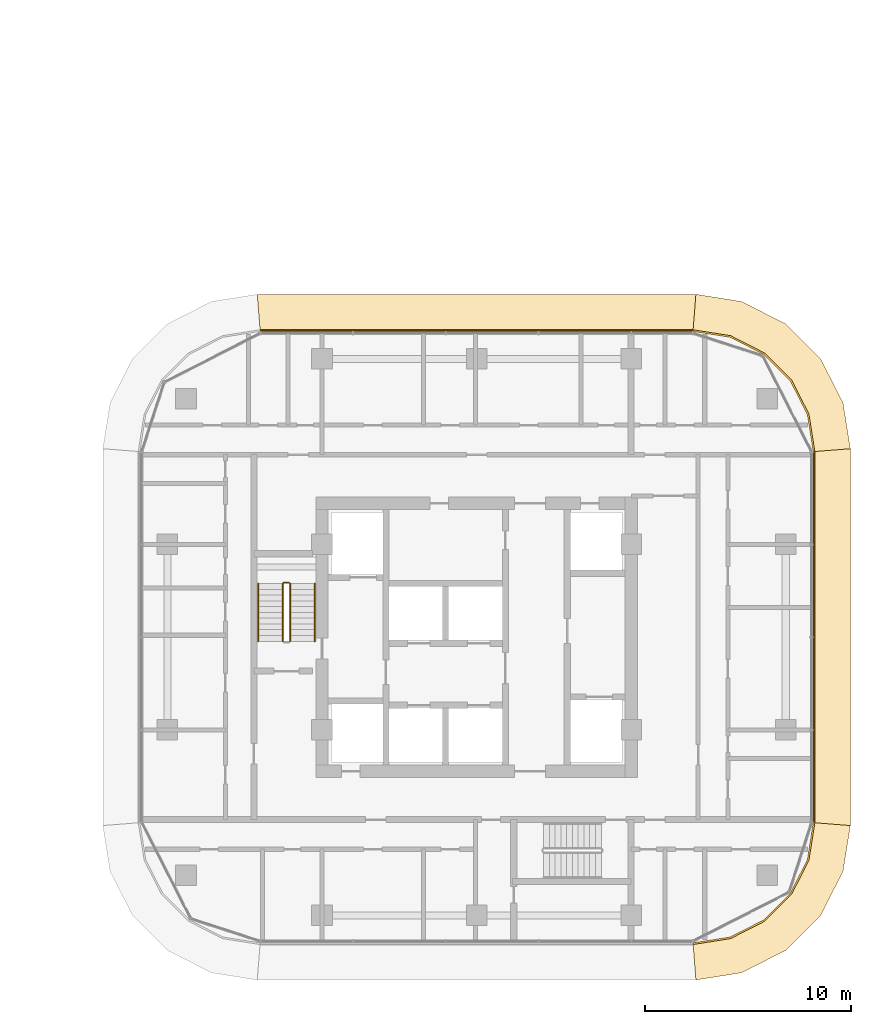
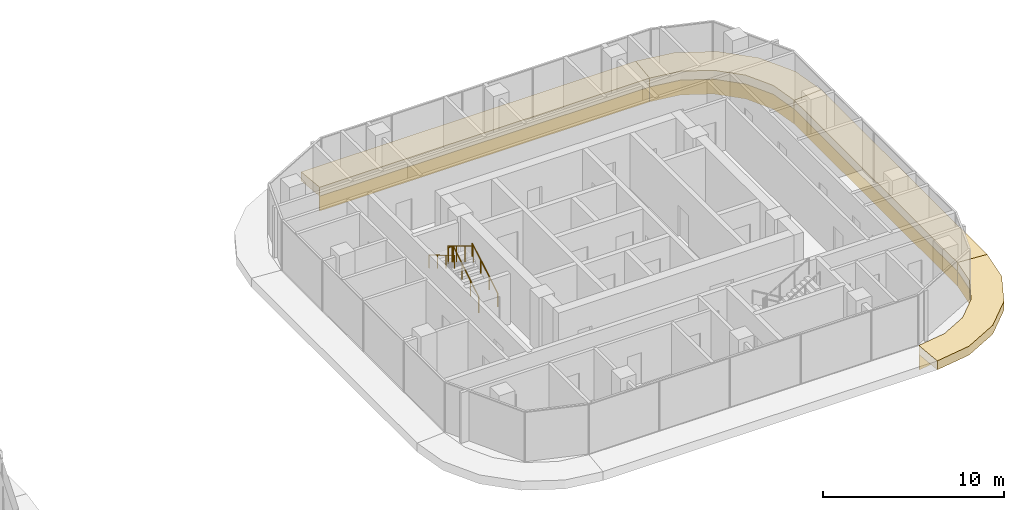
# One storey, part 39 of 39: 8 coverings, 5 railings.
"""IFC4 building model written with IfcOpenShell, lengths in metres."""

from ifc_helpers import new_model, si_unit, direction, frame, origin, origin_2d, place, context, subcontext, project, spatial, polyline, circle, outline, extrude, material, layer, layer_set, type_object, element, save


model = new_model("IFC4")

# Units and contexts
model_context = context("Model", 3, precision=1e-05, world=origin(), true_north=direction((0.0, 1.0)))
body_context = subcontext(model_context, "Body", "Model", "MODEL_VIEW")
ifc_project = project(units=[si_unit("LENGTHUNIT", "METRE"), si_unit("AREAUNIT", "SQUARE_METRE"), si_unit("VOLUMEUNIT", "CUBIC_METRE"), si_unit("PLANEANGLEUNIT", "RADIAN"), si_unit("MASSUNIT", "GRAM", prefix="KILO")], contexts=[model_context])

# Site, building, storey
site_placement = place(None, origin())
site = spatial("IfcSite", under=ifc_project, at=site_placement, CompositionType="ELEMENT")
building_placement = place(site_placement, origin())
building = spatial("IfcBuilding", under=site, at=building_placement, Name="Ogive Portal Towers", CompositionType="ELEMENT")
storey_placement = place(building_placement, frame((0.0, 0.0, 44.60009765625)))
storey = spatial("IfcBuildingStorey", under=building, at=storey_placement, Name="L09", CompositionType="ELEMENT", Elevation=44.60009765625)

# Railings
ifc_material_1 = material(Name="Stainless steel balustrade", Category="steel")
railing_type_1 = type_object("IfcRailingType", Name="INT-GUARD", PredefinedType="GUARDRAIL", material=ifc_material_1)
railing_1_placement = place(storey_placement, frame((127.449951171875, 30.800048828125, 0.16796875)))
element("IfcRailing", 1, at=railing_1_placement, inside=storey, type_object=railing_type_1, Name="L09 ST-B1 stair guard 1", PredefinedType="GUARDRAIL", context=body_context, shape_type="SweptSolid", body=[
    extrude(circle(Radius=0.02392578125, at=origin_2d()), frame((0.0, 0.0, 1.076171875), z_axis=(0.0, 0.857242210791, 0.514913383045), x_axis=(-1.0, 0.0, 0.0)), (0.0, 0.0, 1.0), 3.266357421875),
    extrude(circle(Radius=0.02099609375, at=origin_2d()), origin(), (0.0, 0.0, 1.0), 1.052001953125),
    extrude(circle(Radius=0.02099609375, at=origin_2d()), frame((0.0, 0.933349609375, 0.560546875)), (0.0, 0.0, 1.0), 1.052001953125),
    extrude(circle(Radius=0.02099609375, at=origin_2d()), frame((0.0, 1.86669921875, 1.121337890625)), (0.0, 0.0, 1.0), 1.052001953125),
    extrude(circle(Radius=0.02099609375, at=origin_2d()), frame((0.0, 2.800048828125, 1.681884765625)), (0.0, 0.0, 1.0), 1.052001953125),
])
railing_2_placement = place(storey_placement, frame((127.39990234375, 33.64990234375, 1.849853515625)))
element("IfcRailing", 2, at=railing_2_placement, inside=storey, type_object=railing_type_1, Name="L09 ST-B1 stair guard 2", PredefinedType="GUARDRAIL", context=body_context, shape_type="SweptSolid", body=[
    extrude(circle(Radius=0.02392578125, at=origin_2d()), frame((0.0, 0.0, 1.076171875), z_axis=(-1.0, 0.0, 0.0), x_axis=(0.0, -1.0, 0.0)), (0.0, 0.0, 1.0), 0.25),
    extrude(circle(Radius=0.02099609375, at=origin_2d()), origin(), (0.0, 0.0, 1.0), 1.052001953125),
    extrude(circle(Radius=0.02099609375, at=origin_2d()), frame((-0.25, 0.0, 0.0)), (0.0, 0.0, 1.0), 1.052001953125),
])
railing_3_placement = place(storey_placement, frame((127.10009765625, 33.60009765625, 2.01806640625)))
element("IfcRailing", 3, at=railing_3_placement, inside=storey, type_object=railing_type_1, Name="L09 ST-B1 stair guard 3", PredefinedType="GUARDRAIL", context=body_context, shape_type="SweptSolid", body=[
    extrude(circle(Radius=0.02392578125, at=origin_2d()), frame((0.0, 0.0, 1.076171875), z_axis=(0.0, -0.857242210791, 0.514913383045), x_axis=(1.0, 0.0, 0.0)), (0.0, 0.0, 1.0), 3.266357421875),
    extrude(circle(Radius=0.02099609375, at=origin_2d()), origin(), (0.0, 0.0, 1.0), 1.052001953125),
    extrude(circle(Radius=0.02099609375, at=origin_2d()), frame((0.0, -0.933349609375, 0.560546875)), (0.0, 0.0, 1.0), 1.052001953125),
    extrude(circle(Radius=0.02099609375, at=origin_2d()), frame((0.0, -1.86669921875, 1.121337890625)), (0.0, 0.0, 1.0), 1.052001953125),
    extrude(circle(Radius=0.02099609375, at=origin_2d()), frame((0.0, -2.800048828125, 1.681884765625)), (0.0, 0.0, 1.0), 1.052001953125),
])
ifc_material_2 = material(Name="Stainless steel handrail", Category="steel")
railing_type_2 = type_object("IfcRailingType", Name="INT-HANDRAIL", PredefinedType="HANDRAIL", material=ifc_material_2)
railing_4_placement = place(storey_placement, frame((128.64990234375, 30.800048828125, 0.16796875)))
element("IfcRailing", 4, at=railing_4_placement, inside=storey, type_object=railing_type_2, Name="L09 ST-B1 stair handrail 1", PredefinedType="HANDRAIL", context=body_context, shape_type="SweptSolid", body=[
    extrude(circle(Radius=0.02392578125, at=origin_2d()), frame((0.0, 0.0, 0.8759765625), z_axis=(0.0, 0.857242210791, 0.514913383045), x_axis=(-1.0, 0.0, 0.0)), (0.0, 0.0, 1.0), 3.266357421875),
    extrude(circle(Radius=0.02099609375, at=origin_2d()), origin(), (0.0, 0.0, 1.0), 0.851806640625),
    extrude(circle(Radius=0.02099609375, at=origin_2d()), frame((0.0, 0.933349609375, 0.560546875)), (0.0, 0.0, 1.0), 0.851806640625),
    extrude(circle(Radius=0.02099609375, at=origin_2d()), frame((0.0, 1.86669921875, 1.121337890625)), (0.0, 0.0, 1.0), 0.851806640625),
    extrude(circle(Radius=0.02099609375, at=origin_2d()), frame((0.0, 2.800048828125, 1.681884765625)), (0.0, 0.0, 1.0), 0.851806640625),
])
railing_5_placement = place(storey_placement, frame((125.89990234375, 33.60009765625, 2.01806640625)))
element("IfcRailing", 5, at=railing_5_placement, inside=storey, type_object=railing_type_2, Name="L09 ST-B1 stair handrail 2", PredefinedType="HANDRAIL", context=body_context, shape_type="SweptSolid", body=[
    extrude(circle(Radius=0.02392578125, at=origin_2d()), frame((0.0, 0.0, 0.8759765625), z_axis=(0.0, -0.857242210791, 0.514913383045), x_axis=(1.0, 0.0, 0.0)), (0.0, 0.0, 1.0), 3.266357421875),
    extrude(circle(Radius=0.02099609375, at=origin_2d()), origin(), (0.0, 0.0, 1.0), 0.851806640625),
    extrude(circle(Radius=0.02099609375, at=origin_2d()), frame((0.0, -0.933349609375, 0.560546875)), (0.0, 0.0, 1.0), 0.851806640625),
    extrude(circle(Radius=0.02099609375, at=origin_2d()), frame((0.0, -1.86669921875, 1.121337890625)), (0.0, 0.0, 1.0), 0.851806640625),
    extrude(circle(Radius=0.02099609375, at=origin_2d()), frame((0.0, -2.800048828125, 1.681884765625)), (0.0, 0.0, 1.0), 0.851806640625),
])

# Coverings
ifc_material_3 = material(Name="Limestone cladding on lightweight block wall", Category="masonry")
ifc_layer_1 = layer(ifc_material_3, 0.080078125)
ifc_layer_set_1 = layer_set([ifc_layer_1], Name="STONE SPANDREL 80")
covering_type_1 = type_object("IfcCoveringType", Name="STONE SPANDREL 80", PredefinedType="CLADDING", material=ifc_layer_set_1)
covering_1_placement = place(storey_placement, frame((0.0, 0.0, -1.60009765625)))
element("IfcCovering", 6, at=covering_1_placement, inside=storey, type_object=covering_type_1, Name="Stone spandrel B1-F03", PredefinedType="CLADDING", context=body_context, shape_type="SweptSolid", body=[
    extrude(outline(polyline([(147.0, 16.1650390625), (148.80322265625, 16.45068359375), (150.4296875, 17.279296875), (151.720703125, 18.5703125), (152.54931640625, 20.19677734375), (152.8349609375, 22.0), (152.9150390625, 21.99365234375), (152.62646484375, 20.171875), (151.7861328125, 18.522705078125), (150.477294921875, 17.2138671875), (148.828125, 16.37353515625), (147.00634765625, 16.0849609375), (147.0, 16.1650390625)])), origin(), (0.0, 0.0, 1.0), 1.0),
])
covering_2_placement = place(storey_placement, frame((0.0, 0.0, -1.60009765625)))
element("IfcCovering", 7, at=covering_2_placement, inside=storey, type_object=covering_type_1, Name="Stone spandrel B1-F04", PredefinedType="CLADDING", context=body_context, shape_type="SweptSolid", body=[
    extrude(outline(polyline([(152.8349609375, 22.0), (152.8349609375, 40.0), (152.9150390625, 40.00634765625), (152.9150390625, 21.99365234375), (152.8349609375, 22.0)])), origin(), (0.0, 0.0, 1.0), 1.0),
])
covering_3_placement = place(storey_placement, frame((0.0, 0.0, -1.60009765625)))
element("IfcCovering", 8, at=covering_3_placement, inside=storey, type_object=covering_type_1, Name="Stone spandrel B1-F05", PredefinedType="CLADDING", context=body_context, shape_type="SweptSolid", body=[
    extrude(outline(polyline([(152.8349609375, 40.0), (152.54931640625, 41.80322265625), (151.720703125, 43.4296875), (150.4296875, 44.720703125), (148.80322265625, 45.54931640625), (147.0, 45.8349609375), (147.00634765625, 45.9150390625), (148.828125, 45.62646484375), (150.477294921875, 44.7861328125), (151.7861328125, 43.477294921875), (152.62646484375, 41.828125), (152.9150390625, 40.00634765625), (152.8349609375, 40.0)])), origin(), (0.0, 0.0, 1.0), 1.0),
])
covering_4_placement = place(storey_placement, frame((0.0, 0.0, -1.60009765625)))
element("IfcCovering", 9, at=covering_4_placement, inside=storey, type_object=covering_type_1, Name="Stone spandrel B1-F06", PredefinedType="CLADDING", context=body_context, shape_type="SweptSolid", body=[
    extrude(outline(polyline([(147.0, 45.8349609375), (126.0, 45.8349609375), (125.99365234375, 45.9150390625), (147.00634765625, 45.9150390625), (147.0, 45.8349609375)])), origin(), (0.0, 0.0, 1.0), 1.0),
])
ifc_layer_2 = layer(ifc_material_3, 0.60009765625)
ifc_layer_set_2 = layer_set([ifc_layer_2], Name="SUNSHADE LIP 600")
covering_type_2 = type_object("IfcCoveringType", Name="SUNSHADE LIP 600", PredefinedType="CLADDING", material=ifc_layer_set_2)
covering_5_placement = place(storey_placement, frame((0.0, 0.0, -0.60009765625)))
element("IfcCovering", 10, at=covering_5_placement, inside=storey, type_object=covering_type_2, Name="Sunshade lip B1-F03", PredefinedType="CLADDING", context=body_context, shape_type="SweptSolid", body=[
    extrude(outline(polyline([(147.0, 16.1650390625), (148.80322265625, 16.45068359375), (150.4296875, 17.279296875), (151.720703125, 18.5703125), (152.54931640625, 20.19677734375), (152.8349609375, 22.0), (154.635009765625, 21.8583984375), (154.28271484375, 19.6337890625), (153.195068359375, 17.4990234375), (151.5009765625, 15.804931640625), (149.3662109375, 14.71728515625), (147.1416015625, 14.364990234375), (147.0, 16.1650390625)])), origin(), (0.0, 0.0, 1.0), 0.60009765625),
])
covering_6_placement = place(storey_placement, frame((0.0, 0.0, -0.60009765625)))
element("IfcCovering", 11, at=covering_6_placement, inside=storey, type_object=covering_type_2, Name="Sunshade lip B1-F04", PredefinedType="CLADDING", context=body_context, shape_type="SweptSolid", body=[
    extrude(outline(polyline([(152.8349609375, 22.0), (152.8349609375, 40.0), (154.635009765625, 40.1416015625), (154.635009765625, 21.8583984375), (152.8349609375, 22.0)])), origin(), (0.0, 0.0, 1.0), 0.60009765625),
])
covering_7_placement = place(storey_placement, frame((0.0, 0.0, -0.60009765625)))
element("IfcCovering", 12, at=covering_7_placement, inside=storey, type_object=covering_type_2, Name="Sunshade lip B1-F05", PredefinedType="CLADDING", context=body_context, shape_type="SweptSolid", body=[
    extrude(outline(polyline([(152.8349609375, 40.0), (152.54931640625, 41.80322265625), (151.720703125, 43.4296875), (150.4296875, 44.720703125), (148.80322265625, 45.54931640625), (147.0, 45.8349609375), (147.1416015625, 47.635009765625), (149.3662109375, 47.28271484375), (151.5009765625, 46.195068359375), (153.195068359375, 44.5009765625), (154.28271484375, 42.3662109375), (154.635009765625, 40.1416015625), (152.8349609375, 40.0)])), origin(), (0.0, 0.0, 1.0), 0.60009765625),
])
covering_8_placement = place(storey_placement, frame((0.0, 0.0, -0.60009765625)))
element("IfcCovering", 13, at=covering_8_placement, inside=storey, type_object=covering_type_2, Name="Sunshade lip B1-F06", PredefinedType="CLADDING", context=body_context, shape_type="SweptSolid", body=[
    extrude(outline(polyline([(147.0, 45.8349609375), (126.0, 45.8349609375), (125.8583984375, 47.635009765625), (147.1416015625, 47.635009765625), (147.0, 45.8349609375)])), origin(), (0.0, 0.0, 1.0), 0.60009765625),
])

save(model, "model.ifc")
